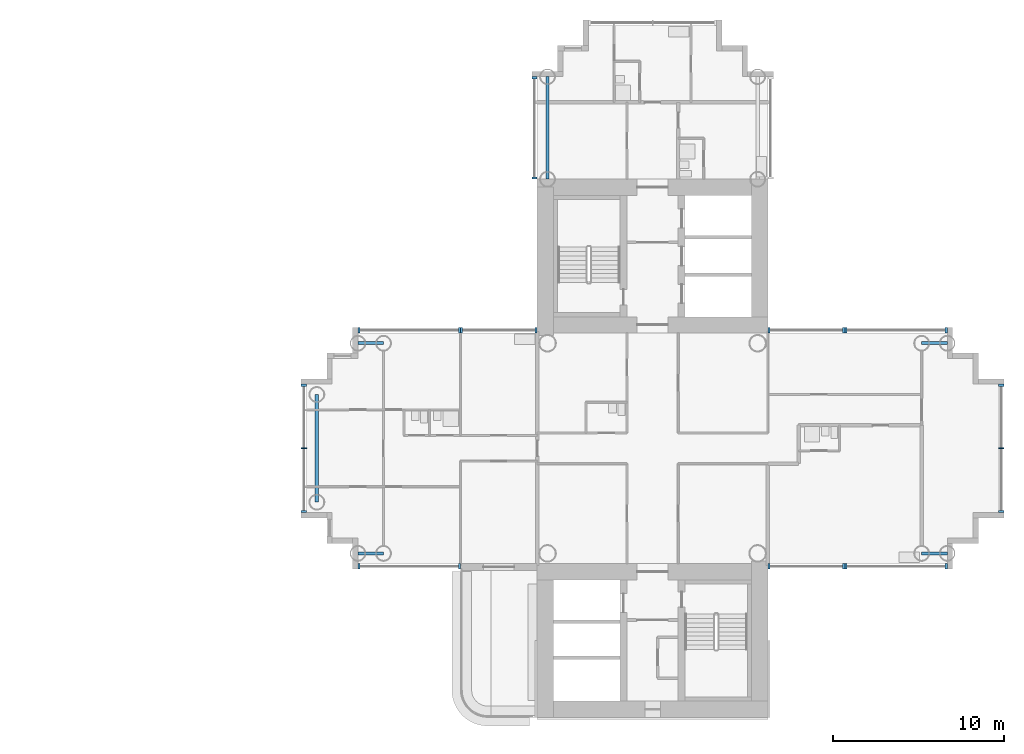
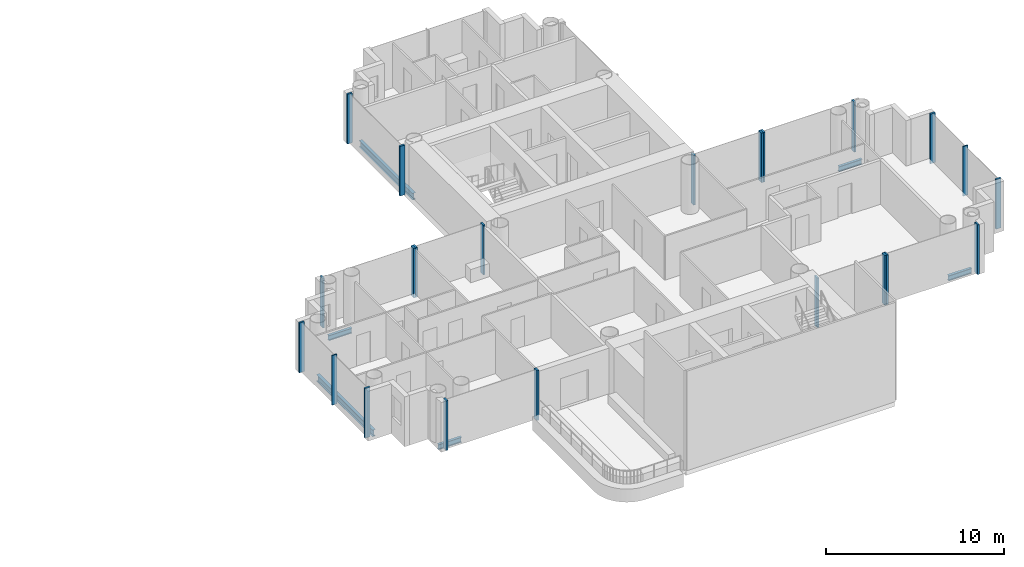
# One storey, part 5 of 22: 22 members, 6 beams, 10 elements without a shape of their own.
"""IFC4 building model written with IfcOpenShell, lengths in metres."""

from ifc_helpers import new_model, si_unit, direction, frame, origin, origin_2d, place, context, subcontext, project, spatial, rectangle, i_section, extrude, material, layer, layer_set, material_profile, profile_set, type_object, element, aggregate, save


model = new_model("IFC4")

# Units and contexts
model_context = context("Model", 3, precision=1e-05, world=origin(), true_north=direction((0.0, 1.0)))
body_context = subcontext(model_context, "Body", "Model", "MODEL_VIEW")
ifc_project = project(units=[si_unit("LENGTHUNIT", "METRE"), si_unit("AREAUNIT", "SQUARE_METRE"), si_unit("VOLUMEUNIT", "CUBIC_METRE"), si_unit("PLANEANGLEUNIT", "RADIAN"), si_unit("MASSUNIT", "GRAM", prefix="KILO")], contexts=[model_context])

# Site, building, storey
site_placement = place(None, origin())
site = spatial("IfcSite", under=ifc_project, at=site_placement, CompositionType="ELEMENT")
building_placement = place(site_placement, origin())
building = spatial("IfcBuilding", under=site, at=building_placement, Name="Ipe Terrace Towers", CompositionType="ELEMENT")
storey_placement = place(building_placement, frame((0.0, 0.0, 110.60009765625)))
storey = spatial("IfcBuildingStorey", under=building, at=storey_placement, Name="L30", CompositionType="ELEMENT", Elevation=110.60009765625)

# Beams
ifc_material_1 = material(Name="Steel S355", Category="steel")
ifc_material_profile_1 = material_profile(ifc_material_1, i_section(OverallWidth=0.175048828125, OverallDepth=0.35009765625, WebThickness=0.007080078125, FlangeThickness=0.010986328125, at=origin_2d()), Name="H-350x175x7x11")
ifc_profile_set_1 = profile_set([ifc_material_profile_1], Name="Steel S355")
beam_type_1 = type_object("IfcBeamType", Name="H04 EDGE BEAM H-350x175x7x11", PredefinedType="BEAM", material=ifc_profile_set_1)
for number, where, z_axis, x_axis, name in (
    (1, (20.25, 6.14990234375, -0.5751953125), (-1.0, 0.0, 0.0), (0.0, -1.0, 0.0), "Edge beam T2-EB-B03-B05"),
    (2, (20.25, -6.14990234375, -0.5751953125), (-1.0, 0.0, 0.0), (0.0, -1.0, 0.0), "Edge beam T2-EB-B04-B06"),
    (3, (51.75, -6.14990234375, -0.5751953125), (1.0, 0.0, 0.0), (0.0, 1.0, 0.0), "Edge beam T2-EB-D03-D05"),
    (4, (51.75, 6.14990234375, -0.5751953125), (1.0, 0.0, 0.0), (0.0, 1.0, 0.0), "Edge beam T2-EB-D04-D06"),
):
    element("IfcBeam", number, at=place(storey_placement, frame(where, z_axis=z_axis, x_axis=x_axis)), inside=storey, type_object=beam_type_1, Name=name, PredefinedType="BEAM", context=body_context, shape_type="SweptSolid", body=[
        extrude(i_section(OverallWidth=0.175048828125, OverallDepth=0.35009765625, WebThickness=0.007080078125, FlangeThickness=0.010986328125, at=origin_2d()), origin(), (0.0, 0.0, 1.0), 1.5),
    ])
ifc_material_2 = material(Name="Steel S355", Category="steel")
ifc_material_profile_2 = material_profile(ifc_material_2, i_section(OverallWidth=0.199951171875, OverallDepth=0.449951171875, WebThickness=0.009033203125, FlangeThickness=0.013916015625, at=origin_2d()), Name="H-450x200x9x14")
ifc_profile_set_2 = profile_set([ifc_material_profile_2], Name="Steel S355")
beam_type_2 = type_object("IfcBeamType", Name="H08 EDGE BEAM H-450x200x9x14", PredefinedType="BEAM", material=ifc_profile_set_2)
beam_1_placement = place(storey_placement, frame((29.85009765625, 15.75, -0.625), z_axis=(0.0, 1.0, 0.0), x_axis=(-1.0, 0.0, 0.0)))
element("IfcBeam", 5, at=beam_1_placement, inside=storey, type_object=beam_type_2, Name="Edge beam T2-EB-A02-A04", PredefinedType="BEAM", context=body_context, shape_type="SweptSolid", body=[
    extrude(i_section(OverallWidth=0.199951171875, OverallDepth=0.449951171875, WebThickness=0.009033203125, FlangeThickness=0.013916015625, at=origin_2d()), origin(), (0.0, 0.0, 1.0), 6.0),
])
beam_2_placement = place(storey_placement, frame((16.35009765625, 3.14990234375, -0.625), z_axis=(0.0, -1.0, 0.0), x_axis=(1.0, 0.0, 0.0)))
element("IfcBeam", 6, at=beam_2_placement, inside=storey, type_object=beam_type_2, Name="Edge beam T2-EB-B07-B08", PredefinedType="BEAM", context=body_context, shape_type="SweptSolid", body=[
    extrude(i_section(OverallWidth=0.199951171875, OverallDepth=0.449951171875, WebThickness=0.009033203125, FlangeThickness=0.013916015625, at=origin_2d()), origin(), (0.0, 0.0, 1.0), 6.2998046875),
])

# Curtain wall, members
ifc_material_3 = material(Name="Aluminium alloy 6063-T6", Category="aluminium")
ifc_layer = layer(ifc_material_3, 0.320068359375)
ifc_layer_set = layer_set([ifc_layer], Name="TOWER UNITISED CURTAIN WALL")
curtain_wall_type = type_object("IfcCurtainWallType", Name="TOWER UNITISED CURTAIN WALL", PredefinedType="NOTDEFINED", material=ifc_layer_set)
curtain_wall_1_placement = place(storey_placement, origin())
curtain_wall_1 = element("IfcCurtainWall", 7, at=curtain_wall_1_placement, inside=storey, type_object=curtain_wall_type, Name="T2-CW-L30-02a curtain wall", PredefinedType="NOTDEFINED")
ifc_material_4 = material(Name="Aluminium alloy 6063-T6", Category="aluminium")
ifc_material_profile_3 = material_profile(ifc_material_4, rectangle(XDim=0.320068359375, YDim=0.1201171875, at=origin_2d()), Name="TOWER UNITISED CORNER MULLION 320 x 120")
ifc_profile_set_3 = profile_set([ifc_material_profile_3], Name="Aluminium alloy 6063-T6")
member_type_1 = type_object("IfcMemberType", Name="TOWER UNITISED CORNER MULLION 320 x 120", PredefinedType="MULLION", material=ifc_profile_set_3)
member_1_placement = place(storey_placement, frame((42.81005859375, -6.909912109375, -0.300048828125), z_axis=(0.0, 0.0, 1.0), x_axis=(0.0, -1.0, 0.0)))
member_1 = element("IfcMember", 8, at=member_1_placement, type_object=member_type_1, Name="T2-CW-L30-02a mullion 1", PredefinedType="MULLION", context=body_context, shape_type="SweptSolid", body=[
    extrude(rectangle(XDim=0.320068359375, YDim=0.1201171875, at=origin_2d()), origin(), (0.0, 0.0, 1.0), 3.39990234375),
])
member_2_placement = place(storey_placement, frame((47.18994140625, -6.909912109375, -0.300048828125), z_axis=(0.0, 0.0, 1.0), x_axis=(0.0, -1.0, 0.0)))
member_2 = element("IfcMember", 9, at=member_2_placement, type_object=member_type_1, Name="T2-CW-L30-02a mullion 2", PredefinedType="MULLION", context=body_context, shape_type="SweptSolid", body=[
    extrude(rectangle(XDim=0.320068359375, YDim=0.1201171875, at=origin_2d()), origin(), (0.0, 0.0, 1.0), 3.39990234375),
])
aggregate(curtain_wall_1, [member_1, member_2])

curtain_wall_2_placement = place(storey_placement, origin())
curtain_wall_2 = element("IfcCurtainWall", 10, at=curtain_wall_2_placement, inside=storey, type_object=curtain_wall_type, Name="T2-CW-L30-03a curtain wall", PredefinedType="NOTDEFINED")
member_3_placement = place(storey_placement, frame((47.31005859375, -6.909912109375, -0.300048828125), z_axis=(0.0, 0.0, 1.0), x_axis=(0.0, -1.0, 0.0)))
member_3 = element("IfcMember", 11, at=member_3_placement, type_object=member_type_1, Name="T2-CW-L30-03a mullion 1", PredefinedType="MULLION", context=body_context, shape_type="SweptSolid", body=[
    extrude(rectangle(XDim=0.320068359375, YDim=0.1201171875, at=origin_2d()), origin(), (0.0, 0.0, 1.0), 3.39990234375),
])
member_4_placement = place(storey_placement, frame((53.18994140625, -6.909912109375, -0.300048828125), z_axis=(0.0, 0.0, 1.0), x_axis=(0.0, -1.0, 0.0)))
member_4 = element("IfcMember", 12, at=member_4_placement, type_object=member_type_1, Name="T2-CW-L30-03a mullion 2", PredefinedType="MULLION", context=body_context, shape_type="SweptSolid", body=[
    extrude(rectangle(XDim=0.320068359375, YDim=0.1201171875, at=origin_2d()), origin(), (0.0, 0.0, 1.0), 3.39990234375),
])
aggregate(curtain_wall_2, [member_3, member_4])

curtain_wall_3_placement = place(storey_placement, origin())
curtain_wall_3 = element("IfcCurtainWall", 13, at=curtain_wall_3_placement, inside=storey, type_object=curtain_wall_type, Name="T2-CW-L30-08a curtain wall", PredefinedType="NOTDEFINED")
member_5_placement = place(storey_placement, frame((56.409912109375, -3.68994140625, -0.300048828125), z_axis=(0.0, 0.0, 1.0), x_axis=(1.0, 0.0, 0.0)))
member_5 = element("IfcMember", 14, at=member_5_placement, type_object=member_type_1, Name="T2-CW-L30-08a mullion 1", PredefinedType="MULLION", context=body_context, shape_type="SweptSolid", body=[
    extrude(rectangle(XDim=0.320068359375, YDim=0.1201171875, at=origin_2d()), origin(), (0.0, 0.0, 1.0), 3.39990234375),
])
member_6_placement = place(storey_placement, frame((56.409912109375, 3.68994140625, -0.300048828125), z_axis=(0.0, 0.0, 1.0), x_axis=(1.0, 0.0, 0.0)))
member_6 = element("IfcMember", 15, at=member_6_placement, type_object=member_type_1, Name="T2-CW-L30-08a mullion 3", PredefinedType="MULLION", context=body_context, shape_type="SweptSolid", body=[
    extrude(rectangle(XDim=0.320068359375, YDim=0.1201171875, at=origin_2d()), origin(), (0.0, 0.0, 1.0), 3.39990234375),
])

curtain_wall_4_placement = place(storey_placement, origin())
curtain_wall_4 = element("IfcCurtainWall", 16, at=curtain_wall_4_placement, inside=storey, type_object=curtain_wall_type, Name="T2-CW-L30-13a curtain wall", PredefinedType="NOTDEFINED")
member_7_placement = place(storey_placement, frame((53.18994140625, 6.909912109375, -0.300048828125), z_axis=(0.0, 0.0, 1.0), x_axis=(0.0, 1.0, 0.0)))
member_7 = element("IfcMember", 17, at=member_7_placement, type_object=member_type_1, Name="T2-CW-L30-13a mullion 1", PredefinedType="MULLION", context=body_context, shape_type="SweptSolid", body=[
    extrude(rectangle(XDim=0.320068359375, YDim=0.1201171875, at=origin_2d()), origin(), (0.0, 0.0, 1.0), 3.39990234375),
])
member_8_placement = place(storey_placement, frame((47.31005859375, 6.909912109375, -0.300048828125), z_axis=(0.0, 0.0, 1.0), x_axis=(0.0, 1.0, 0.0)))
member_8 = element("IfcMember", 18, at=member_8_placement, type_object=member_type_1, Name="T2-CW-L30-13a mullion 2", PredefinedType="MULLION", context=body_context, shape_type="SweptSolid", body=[
    extrude(rectangle(XDim=0.320068359375, YDim=0.1201171875, at=origin_2d()), origin(), (0.0, 0.0, 1.0), 3.39990234375),
])
aggregate(curtain_wall_4, [member_7, member_8])

curtain_wall_5_placement = place(storey_placement, origin())
curtain_wall_5 = element("IfcCurtainWall", 19, at=curtain_wall_5_placement, inside=storey, type_object=curtain_wall_type, Name="T2-CW-L30-14a curtain wall", PredefinedType="NOTDEFINED")
member_9_placement = place(storey_placement, frame((47.18994140625, 6.909912109375, -0.300048828125), z_axis=(0.0, 0.0, 1.0), x_axis=(0.0, 1.0, 0.0)))
member_9 = element("IfcMember", 20, at=member_9_placement, type_object=member_type_1, Name="T2-CW-L30-14a mullion 1", PredefinedType="MULLION", context=body_context, shape_type="SweptSolid", body=[
    extrude(rectangle(XDim=0.320068359375, YDim=0.1201171875, at=origin_2d()), origin(), (0.0, 0.0, 1.0), 3.39990234375),
])
member_10_placement = place(storey_placement, frame((42.81005859375, 6.909912109375, -0.300048828125), z_axis=(0.0, 0.0, 1.0), x_axis=(0.0, 1.0, 0.0)))
member_10 = element("IfcMember", 21, at=member_10_placement, type_object=member_type_1, Name="T2-CW-L30-14a mullion 2", PredefinedType="MULLION", context=body_context, shape_type="SweptSolid", body=[
    extrude(rectangle(XDim=0.320068359375, YDim=0.1201171875, at=origin_2d()), origin(), (0.0, 0.0, 1.0), 3.39990234375),
])
aggregate(curtain_wall_5, [member_9, member_10])

curtain_wall_6_placement = place(storey_placement, origin())
curtain_wall_6 = element("IfcCurtainWall", 22, at=curtain_wall_6_placement, inside=storey, type_object=curtain_wall_type, Name="T2-CW-L30-26a curtain wall", PredefinedType="NOTDEFINED")
member_11_placement = place(storey_placement, frame((29.090087890625, 21.68994140625, -0.300048828125), z_axis=(0.0, 0.0, 1.0), x_axis=(-1.0, 0.0, 0.0)))
member_11 = element("IfcMember", 23, at=member_11_placement, type_object=member_type_1, Name="T2-CW-L30-26a mullion 1", PredefinedType="MULLION", context=body_context, shape_type="SweptSolid", body=[
    extrude(rectangle(XDim=0.320068359375, YDim=0.1201171875, at=origin_2d()), origin(), (0.0, 0.0, 1.0), 3.39990234375),
])
member_12_placement = place(storey_placement, frame((29.090087890625, 15.81103515625, -0.300048828125), z_axis=(0.0, 0.0, 1.0), x_axis=(-1.0, 0.0, 0.0)))
member_12 = element("IfcMember", 24, at=member_12_placement, type_object=member_type_1, Name="T2-CW-L30-26a mullion 2", PredefinedType="MULLION", context=body_context, shape_type="SweptSolid", body=[
    extrude(rectangle(XDim=0.320068359375, YDim=0.1201171875, at=origin_2d()), origin(), (0.0, 0.0, 1.0), 3.39990234375),
])
aggregate(curtain_wall_6, [member_11, member_12])

curtain_wall_7_placement = place(storey_placement, origin())
curtain_wall_7 = element("IfcCurtainWall", 25, at=curtain_wall_7_placement, inside=storey, type_object=curtain_wall_type, Name="T2-CW-L30-28a curtain wall", PredefinedType="NOTDEFINED")
member_13_placement = place(storey_placement, frame((29.18994140625, 6.909912109375, -0.300048828125), z_axis=(0.0, 0.0, 1.0), x_axis=(0.0, 1.0, 0.0)))
member_13 = element("IfcMember", 26, at=member_13_placement, type_object=member_type_1, Name="T2-CW-L30-28a mullion 1", PredefinedType="MULLION", context=body_context, shape_type="SweptSolid", body=[
    extrude(rectangle(XDim=0.320068359375, YDim=0.1201171875, at=origin_2d()), origin(), (0.0, 0.0, 1.0), 3.39990234375),
])
member_14_placement = place(storey_placement, frame((24.81005859375, 6.909912109375, -0.300048828125), z_axis=(0.0, 0.0, 1.0), x_axis=(0.0, 1.0, 0.0)))
member_14 = element("IfcMember", 27, at=member_14_placement, type_object=member_type_1, Name="T2-CW-L30-28a mullion 2", PredefinedType="MULLION", context=body_context, shape_type="SweptSolid", body=[
    extrude(rectangle(XDim=0.320068359375, YDim=0.1201171875, at=origin_2d()), origin(), (0.0, 0.0, 1.0), 3.39990234375),
])
aggregate(curtain_wall_7, [member_13, member_14])

curtain_wall_8_placement = place(storey_placement, origin())
curtain_wall_8 = element("IfcCurtainWall", 28, at=curtain_wall_8_placement, inside=storey, type_object=curtain_wall_type, Name="T2-CW-L30-29a curtain wall", PredefinedType="NOTDEFINED")
member_15_placement = place(storey_placement, frame((24.68994140625, 6.909912109375, -0.300048828125), z_axis=(0.0, 0.0, 1.0), x_axis=(0.0, 1.0, 0.0)))
member_15 = element("IfcMember", 29, at=member_15_placement, type_object=member_type_1, Name="T2-CW-L30-29a mullion 1", PredefinedType="MULLION", context=body_context, shape_type="SweptSolid", body=[
    extrude(rectangle(XDim=0.320068359375, YDim=0.1201171875, at=origin_2d()), origin(), (0.0, 0.0, 1.0), 3.39990234375),
])
member_16_placement = place(storey_placement, frame((18.81005859375, 6.909912109375, -0.300048828125), z_axis=(0.0, 0.0, 1.0), x_axis=(0.0, 1.0, 0.0)))
member_16 = element("IfcMember", 30, at=member_16_placement, type_object=member_type_1, Name="T2-CW-L30-29a mullion 2", PredefinedType="MULLION", context=body_context, shape_type="SweptSolid", body=[
    extrude(rectangle(XDim=0.320068359375, YDim=0.1201171875, at=origin_2d()), origin(), (0.0, 0.0, 1.0), 3.39990234375),
])
aggregate(curtain_wall_8, [member_15, member_16])

curtain_wall_9_placement = place(storey_placement, origin())
curtain_wall_9 = element("IfcCurtainWall", 31, at=curtain_wall_9_placement, inside=storey, type_object=curtain_wall_type, Name="T2-CW-L30-34a curtain wall", PredefinedType="NOTDEFINED")
member_17_placement = place(storey_placement, frame((15.590087890625, 3.68994140625, -0.300048828125), z_axis=(0.0, 0.0, 1.0), x_axis=(-1.0, 0.0, 0.0)))
member_17 = element("IfcMember", 32, at=member_17_placement, type_object=member_type_1, Name="T2-CW-L30-34a mullion 1", PredefinedType="MULLION", context=body_context, shape_type="SweptSolid", body=[
    extrude(rectangle(XDim=0.320068359375, YDim=0.1201171875, at=origin_2d()), origin(), (0.0, 0.0, 1.0), 3.39990234375),
])
member_18_placement = place(storey_placement, frame((15.590087890625, -3.68994140625, -0.300048828125), z_axis=(0.0, 0.0, 1.0), x_axis=(-1.0, 0.0, 0.0)))
member_18 = element("IfcMember", 33, at=member_18_placement, type_object=member_type_1, Name="T2-CW-L30-34a mullion 3", PredefinedType="MULLION", context=body_context, shape_type="SweptSolid", body=[
    extrude(rectangle(XDim=0.320068359375, YDim=0.1201171875, at=origin_2d()), origin(), (0.0, 0.0, 1.0), 3.39990234375),
])

curtain_wall_10_placement = place(storey_placement, origin())
curtain_wall_10 = element("IfcCurtainWall", 34, at=curtain_wall_10_placement, inside=storey, type_object=curtain_wall_type, Name="T2-CW-L30-39a curtain wall", PredefinedType="NOTDEFINED")
member_19_placement = place(storey_placement, frame((18.81005859375, -6.909912109375, -0.300048828125), z_axis=(0.0, 0.0, 1.0), x_axis=(0.0, -1.0, 0.0)))
member_19 = element("IfcMember", 35, at=member_19_placement, type_object=member_type_1, Name="T2-CW-L30-39a mullion 1", PredefinedType="MULLION", context=body_context, shape_type="SweptSolid", body=[
    extrude(rectangle(XDim=0.320068359375, YDim=0.1201171875, at=origin_2d()), origin(), (0.0, 0.0, 1.0), 3.39990234375),
])
member_20_placement = place(storey_placement, frame((24.68994140625, -6.909912109375, -0.300048828125), z_axis=(0.0, 0.0, 1.0), x_axis=(0.0, -1.0, 0.0)))
member_20 = element("IfcMember", 36, at=member_20_placement, type_object=member_type_1, Name="T2-CW-L30-39a mullion 2", PredefinedType="MULLION", context=body_context, shape_type="SweptSolid", body=[
    extrude(rectangle(XDim=0.320068359375, YDim=0.1201171875, at=origin_2d()), origin(), (0.0, 0.0, 1.0), 3.39990234375),
])
aggregate(curtain_wall_10, [member_19, member_20])

# Member
ifc_material_5 = material(Name="Aluminium alloy 6063-T6", Category="aluminium")
ifc_material_profile_4 = material_profile(ifc_material_5, rectangle(XDim=0.320068359375, YDim=0.06494140625, at=origin_2d()), Name="TOWER UNITISED MULLION 320 x 65")
ifc_profile_set_4 = profile_set([ifc_material_profile_4], Name="Aluminium alloy 6063-T6")
member_type_2 = type_object("IfcMemberType", Name="TOWER UNITISED MULLION 320 x 65", PredefinedType="MULLION", material=ifc_profile_set_4)
member_21_placement = place(storey_placement, frame((56.409912109375, 0.0, -0.300048828125), z_axis=(0.0, 0.0, 1.0), x_axis=(1.0, 0.0, 0.0)))
member_21 = element("IfcMember", 37, at=member_21_placement, type_object=member_type_2, Name="T2-CW-L30-08a mullion 2", PredefinedType="MULLION", context=body_context, shape_type="SweptSolid", body=[
    extrude(rectangle(XDim=0.320068359375, YDim=0.06494140625, at=origin_2d()), origin(), (0.0, 0.0, 1.0), 3.39990234375),
])

aggregate(curtain_wall_3, [member_5, member_21, member_6])

member_22_placement = place(storey_placement, frame((15.590087890625, 0.0, -0.300048828125), z_axis=(0.0, 0.0, 1.0), x_axis=(-1.0, 0.0, 0.0)))
member_22 = element("IfcMember", 38, at=member_22_placement, type_object=member_type_2, Name="T2-CW-L30-34a mullion 2", PredefinedType="MULLION", context=body_context, shape_type="SweptSolid", body=[
    extrude(rectangle(XDim=0.320068359375, YDim=0.06494140625, at=origin_2d()), origin(), (0.0, 0.0, 1.0), 3.39990234375),
])

aggregate(curtain_wall_9, [member_17, member_22, member_18])

save(model, "model.ifc")
